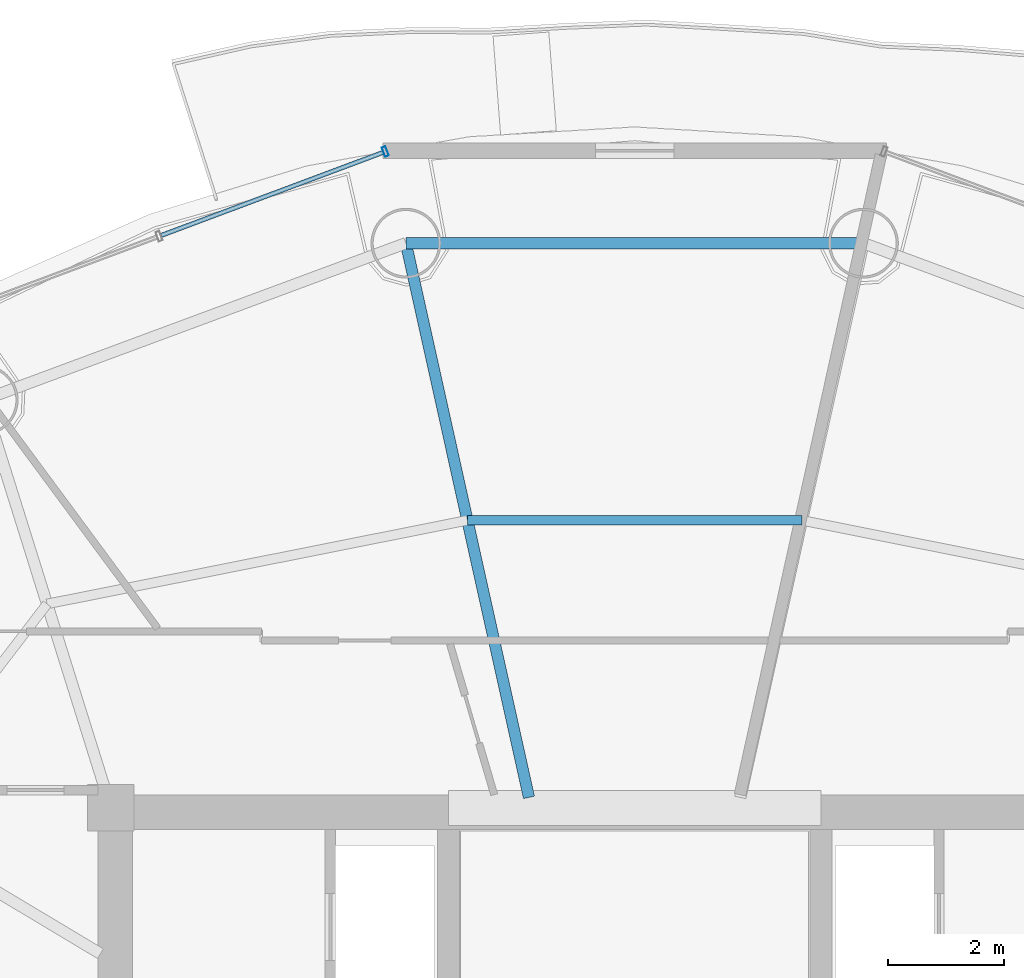
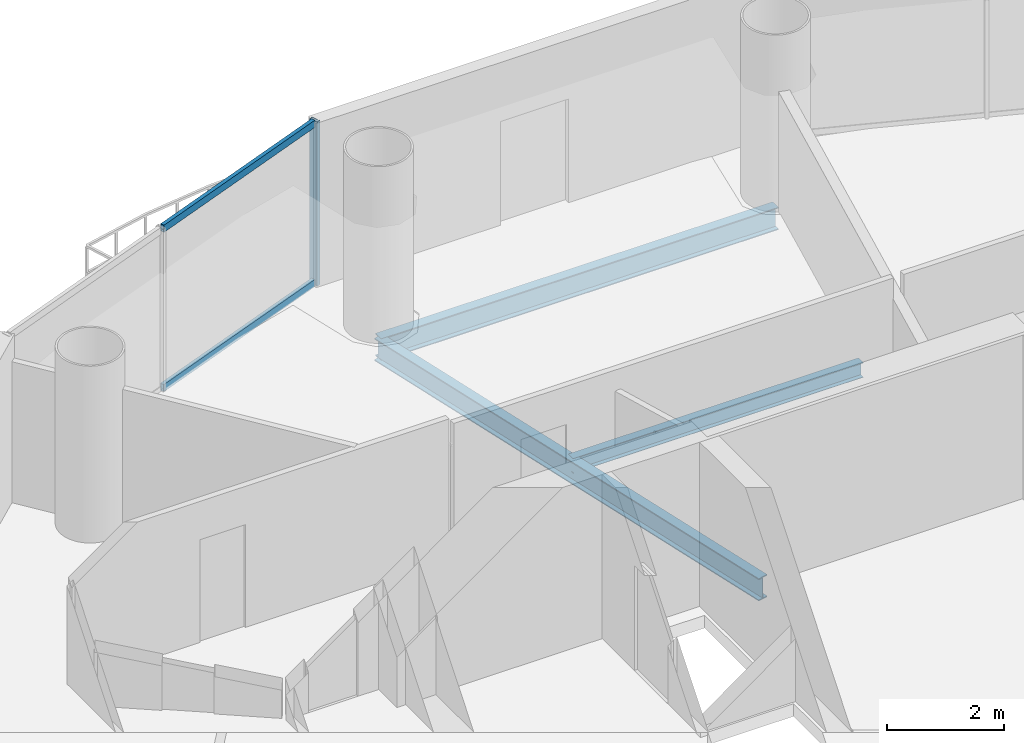
# One storey, part 16 of 26: 3 beams, 3 members, 1 element without a shape of its own.
"""IFC4 building model written with IfcOpenShell, lengths in metres."""

from ifc_helpers import new_model, si_unit, direction, frame, origin, origin_2d, place, context, subcontext, project, spatial, hollow_rectangle, i_section, extrude, source, transform, mapped, material, material_profile, profile_set, type_object, element, aggregate, save


model = new_model("IFC4")

# Units and contexts
model_context = context("Model", 3, precision=1e-05, world=origin(), true_north=direction((-0.2419218956, 0.970295726276)))
body_context = subcontext(model_context, "Body", "Model", "MODEL_VIEW")
ifc_project = project(units=[si_unit("LENGTHUNIT", "METRE"), si_unit("AREAUNIT", "SQUARE_METRE"), si_unit("VOLUMEUNIT", "CUBIC_METRE"), si_unit("PLANEANGLEUNIT", "RADIAN"), si_unit("MASSUNIT", "GRAM", prefix="KILO")], contexts=[model_context])

# Site, building, storey
site_placement = place(None, origin())
site = spatial("IfcSite", under=ifc_project, at=site_placement, CompositionType="ELEMENT")
building_placement = place(site_placement, origin())
building = spatial("IfcBuilding", under=site, at=building_placement, Name="Cobrevalo Terracotta Tower", CompositionType="ELEMENT")
storey_placement = place(building_placement, frame((0.0, 0.0, 231.89990234375)))
storey = spatial("IfcBuildingStorey", under=building, at=storey_placement, Name="L61", CompositionType="ELEMENT", Elevation=231.89990234375)

# Beams
ifc_material_1 = material(Name="Steel S355", Category="steel")
ifc_material_profile_1 = material_profile(ifc_material_1, i_section(OverallWidth=0.194091796875, OverallDepth=0.468994140625, WebThickness=0.011474609375, FlangeThickness=0.0205078125, at=origin_2d()), Name="W 460x106")
ifc_profile_set_1 = profile_set([ifc_material_profile_1], Name="Steel S355")
beam_type_1 = type_object("IfcBeamType", Name="Structural Beam W 460x106 (Steel S355)", PredefinedType="BEAM", material=ifc_profile_set_1)
beam_1_placement = place(storey_placement, frame((34.06884765625, 44.503173828125, -0.49951171875), z_axis=(0.216782061165, -0.976220025382, 0.0), x_axis=(0.976220025382, 0.216782061165, 0.0)))
element("IfcBeam", 1, at=beam_1_placement, inside=storey, type_object=beam_type_1, Name="L61 radial floor girder 05", PredefinedType="BEAM", context=body_context, shape_type="SweptSolid", body=[
    extrude(i_section(OverallWidth=0.194091796875, OverallDepth=0.468994140625, WebThickness=0.011474609375, FlangeThickness=0.0205078125, at=origin_2d()), origin(), (0.0, 0.0, 1.0), 9.755126953125),
])
ifc_material_profile_2 = material_profile(ifc_material_1, i_section(OverallWidth=0.1650390625, OverallDepth=0.31005859375, WebThickness=0.005859375, FlangeThickness=0.009765625, at=origin_2d()), Name="W 310x38.7")
ifc_profile_set_2 = profile_set([ifc_material_profile_2], Name="Steel S355")
beam_type_2 = type_object("IfcBeamType", Name="Structural Joist W 310x38.7 (Steel S355)", PredefinedType="JOIST", material=ifc_profile_set_2)
beam_2_placement = place(storey_placement, frame((40.873779296875, 39.74169921875, -0.419921875), z_axis=(-1.0, 0.0, 0.0), x_axis=(0.0, -1.0, 0.0)))
element("IfcBeam", 2, at=beam_2_placement, inside=storey, type_object=beam_type_2, Name="L61 circumferential secondary floor joist 04", PredefinedType="JOIST", context=body_context, shape_type="SweptSolid", body=[
    extrude(i_section(OverallWidth=0.1650390625, OverallDepth=0.31005859375, WebThickness=0.005859375, FlangeThickness=0.009765625, at=origin_2d()), origin(), (0.0, 0.0, 1.0), 5.74755859375),
])
ifc_material_profile_3 = material_profile(ifc_material_1, i_section(OverallWidth=0.194091796875, OverallDepth=0.468994140625, WebThickness=0.011474609375, FlangeThickness=0.0205078125, at=origin_2d()), Name="W 460x106")
ifc_profile_set_3 = profile_set([ifc_material_profile_3], Name="Steel S355")
beam_type_3 = type_object("IfcBeamType", Name="Structural Spandrel W 460x106 (Steel S355)", PredefinedType="SPANDREL", material=ifc_profile_set_3)
beam_3_placement = place(storey_placement, frame((41.93115234375, 44.503173828125, -0.49951171875), z_axis=(-1.0, 0.0, 0.0), x_axis=(0.0, -1.0, 0.0)))
element("IfcBeam", 3, at=beam_3_placement, inside=storey, type_object=beam_type_3, Name="L61 perimeter ring spandrel 04", PredefinedType="SPANDREL", context=body_context, shape_type="SweptSolid", body=[
    extrude(i_section(OverallWidth=0.194091796875, OverallDepth=0.468994140625, WebThickness=0.011474609375, FlangeThickness=0.0205078125, at=origin_2d()), origin(), (0.0, 0.0, 1.0), 7.8623046875),
])

# Curtain wall, members
ifc_material_2 = material(Name="Anodized aluminium", Category="aluminium")
curtain_wall_type = type_object("IfcCurtainWallType", Name="Mid-tower high-wind unitised curtain wall CW-U2", PredefinedType="NOTDEFINED", material=ifc_material_2)
curtain_wall_placement = place(storey_placement, origin())
curtain_wall = element("IfcCurtainWall", 4, at=curtain_wall_placement, inside=storey, type_object=curtain_wall_type, Name="L61 curtain wall CW-L61-S05", PredefinedType="NOTDEFINED")
ifc_material_profile_4 = material_profile(ifc_material_2, hollow_rectangle(XDim=0.074951171875, YDim=0.14990234375, WallThickness=0.00439453125, at=origin_2d()), Name="CWT 75x150")
ifc_profile_set_4 = profile_set([ifc_material_profile_4], Name="Anodized aluminium")
member_type_1 = type_object("IfcMemberType", Name="Tower unitised aluminium transom 75x150", PredefinedType="USERDEFINED", material=ifc_profile_set_4)
shared_shape_1 = source(origin(), body_context, "Body", "SweptSolid", [
    extrude(hollow_rectangle(XDim=0.074951171875, YDim=0.14990234375, WallThickness=0.00439453125, at=origin_2d()), origin(), (0.0, 0.0, 1.0), 4.06982421875),
])
member_1_placement = place(storey_placement, frame((33.677978515625, 46.06396484375, 0.050048828125), z_axis=(-0.936555791772, -0.350518542873, 0.0), x_axis=(0.350518542873, -0.936555791772, 0.0)))
member_1 = element("IfcMember", 5, at=member_1_placement, type_object=member_type_1, Name="CW-L61-S05 transom B01-T1", ObjectType="TRANSOM", PredefinedType="USERDEFINED", context=body_context, shape_type="MappedRepresentation", body=[
    mapped(shared_shape_1, transform((0.0, 0.0, 0.0), scale=1.0)),
])
member_2_placement = place(storey_placement, frame((33.677978515625, 46.06396484375, 3.385009765625), z_axis=(-0.936555791772, -0.350518542873, 0.0), x_axis=(0.350518542873, -0.936555791772, 0.0)))
member_2 = element("IfcMember", 6, at=member_2_placement, type_object=member_type_1, Name="CW-L61-S05 transom B01-T2", ObjectType="TRANSOM", PredefinedType="USERDEFINED", context=body_context, shape_type="MappedRepresentation", body=[
    mapped(shared_shape_1, transform((0.0, 0.0, 0.0), scale=1.0)),
])
ifc_material_profile_5 = material_profile(ifc_material_2, hollow_rectangle(XDim=0.070068359375, YDim=0.169921875, WallThickness=0.00439453125, at=origin_2d()), Name="CWM 70x170")
ifc_profile_set_5 = profile_set([ifc_material_profile_5], Name="Anodized aluminium")
member_type_2 = type_object("IfcMemberType", Name="Upper tower unitised mullion 70x170", PredefinedType="MULLION", material=ifc_profile_set_5)
shared_shape_2 = source(origin(), body_context, "Body", "SweptSolid", [
    extrude(hollow_rectangle(XDim=0.070068359375, YDim=0.169921875, WallThickness=0.00439453125, at=origin_2d()), origin(), (0.0, 0.0, 1.0), 3.43505859375),
])
member_3_placement = place(storey_placement, frame((33.71533203125, 46.078125, 0.0), z_axis=(0.0, 0.0, 1.0), x_axis=(-0.936556004584, -0.350517974259, 0.0)))
member_3 = element("IfcMember", 7, at=member_3_placement, type_object=member_type_2, Name="CW-L61-S05 vertical mullion 01", PredefinedType="MULLION", context=body_context, shape_type="MappedRepresentation", body=[
    mapped(shared_shape_2, transform((0.0, 0.0, 0.0), scale=1.0)),
])
aggregate(curtain_wall, [member_3, member_1, member_2])

save(model, "model.ifc")
